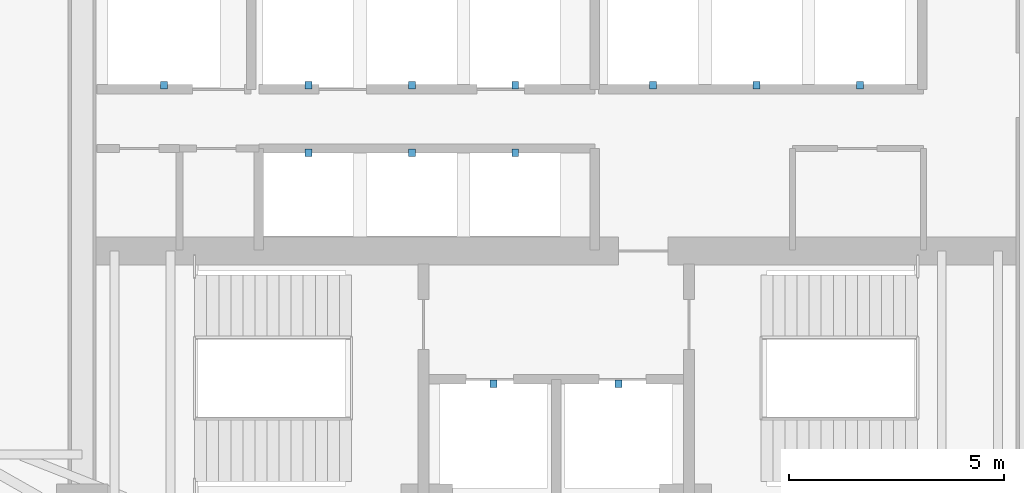
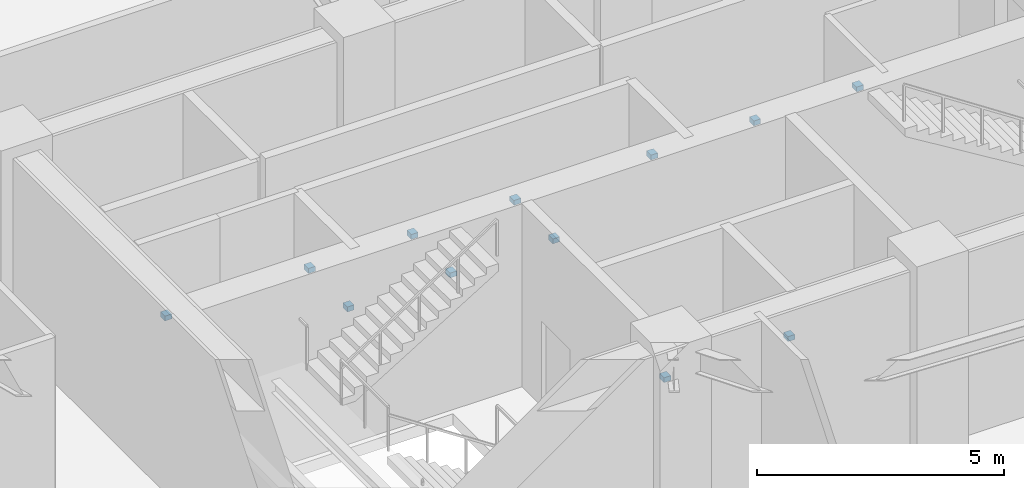
# One storey, part 33 of 40: 12 discrete accessories.
"""IFC4 building model written with IfcOpenShell, lengths in metres."""

from ifc_helpers import new_model, si_unit, direction, frame, origin, origin_2d, place, context, subcontext, project, spatial, rectangle, extrude, material, type_object, element, save


model = new_model("IFC4")

# Units and contexts
model_context = context("Model", 3, precision=1e-05, world=origin(), true_north=direction((0.0, 1.0)))
body_context = subcontext(model_context, "Body", "Model", "MODEL_VIEW")
ifc_project = project(units=[si_unit("LENGTHUNIT", "METRE"), si_unit("AREAUNIT", "SQUARE_METRE"), si_unit("VOLUMEUNIT", "CUBIC_METRE"), si_unit("PLANEANGLEUNIT", "RADIAN"), si_unit("MASSUNIT", "GRAM", prefix="KILO")], contexts=[model_context])

# Site, building, storey
site_placement = place(None, origin())
site = spatial("IfcSite", under=ifc_project, at=site_placement, CompositionType="ELEMENT")
building_placement = place(site_placement, origin())
building = spatial("IfcBuilding", under=site, at=building_placement, Name="Kazevale Care Tower and Concert Hall", CompositionType="ELEMENT")
storey_placement = place(building_placement, frame((0.0, 0.0, 9.60009765625)))
storey = spatial("IfcBuildingStorey", under=building, at=storey_placement, Name="L02", CompositionType="ELEMENT", Elevation=9.60009765625)

# Discrete accessories
ifc_material = material(Name="Stainless Steel 316", Category="steel")
discrete_accessory_type = type_object("IfcDiscreteAccessoryType", Name="Hoistway Guide-Rail Wall Bracket HBRK-1", PredefinedType="BRACKET", material=ifc_material)
for number, where, z_axis, x_axis, name in (
    (1, (31.550048828125, 26.52001953125, 1.23974609375), (0.0, 0.0, 1.0), (1.0, 0.0, 0.0), "hbrk:FFL-1:L02"),
    (2, (34.449951171875, 26.52001953125, 1.23974609375), (0.0, 0.0, 1.0), (1.0, 0.0, 0.0), "hbrk:FFL-2:L02"),
    (3, (23.89990234375, 33.449951171875, 1.23974609375), (0.0, 0.0, 1.0), (1.0, 0.0, 0.0), "hbrk:SVL-1:L02"),
    (4, (27.25, 33.449951171875, 1.23974609375), (0.0, 0.0, 1.0), (1.0, 0.0, 0.0), "hbrk:PL-1:L02"),
    (5, (29.64990234375, 33.449951171875, 1.23974609375), (0.0, 0.0, 1.0), (1.0, 0.0, 0.0), "hbrk:PL-2:L02"),
    (6, (32.050048828125, 33.449951171875, 1.23974609375), (0.0, 0.0, 1.0), (1.0, 0.0, 0.0), "hbrk:PL-3:L02"),
    (7, (35.25, 33.449951171875, 1.23974609375), (0.0, 0.0, 1.0), (1.0, 0.0, 0.0), "hbrk:PM-1:L02"),
    (8, (37.64990234375, 33.449951171875, 1.23974609375), (0.0, 0.0, 1.0), (1.0, 0.0, 0.0), "hbrk:PM-2:L02"),
    (9, (40.050048828125, 33.449951171875, 1.23974609375), (0.0, 0.0, 1.0), (1.0, 0.0, 0.0), "hbrk:PM-3:L02"),
    (10, (27.25, 31.8798828125, 1.23974609375), (0.0, 0.0, 1.0), (1.0, 0.0, 0.0), "hbrk:PH-1:L02"),
    (11, (29.64990234375, 31.8798828125, 1.23974609375), (0.0, 0.0, 1.0), (1.0, 0.0, 0.0), "hbrk:PH-2:L02"),
    (12, (32.050048828125, 31.8798828125, 1.23974609375), (0.0, 0.0, 1.0), (1.0, 0.0, 0.0), "hbrk:PH-3:L02"),
):
    element("IfcDiscreteAccessory", number, at=place(storey_placement, frame(where, z_axis=z_axis, x_axis=x_axis)), inside=storey, type_object=discrete_accessory_type, Name=name, PredefinedType="BRACKET", context=body_context, shape_type="SweptSolid", body=[
        extrude(rectangle(XDim=0.159912109375, YDim=0.179931640625, at=origin_2d()), origin(), (0.0, 0.0, 1.0), 0.1201171875),
    ])

save(model, "model.ifc")
